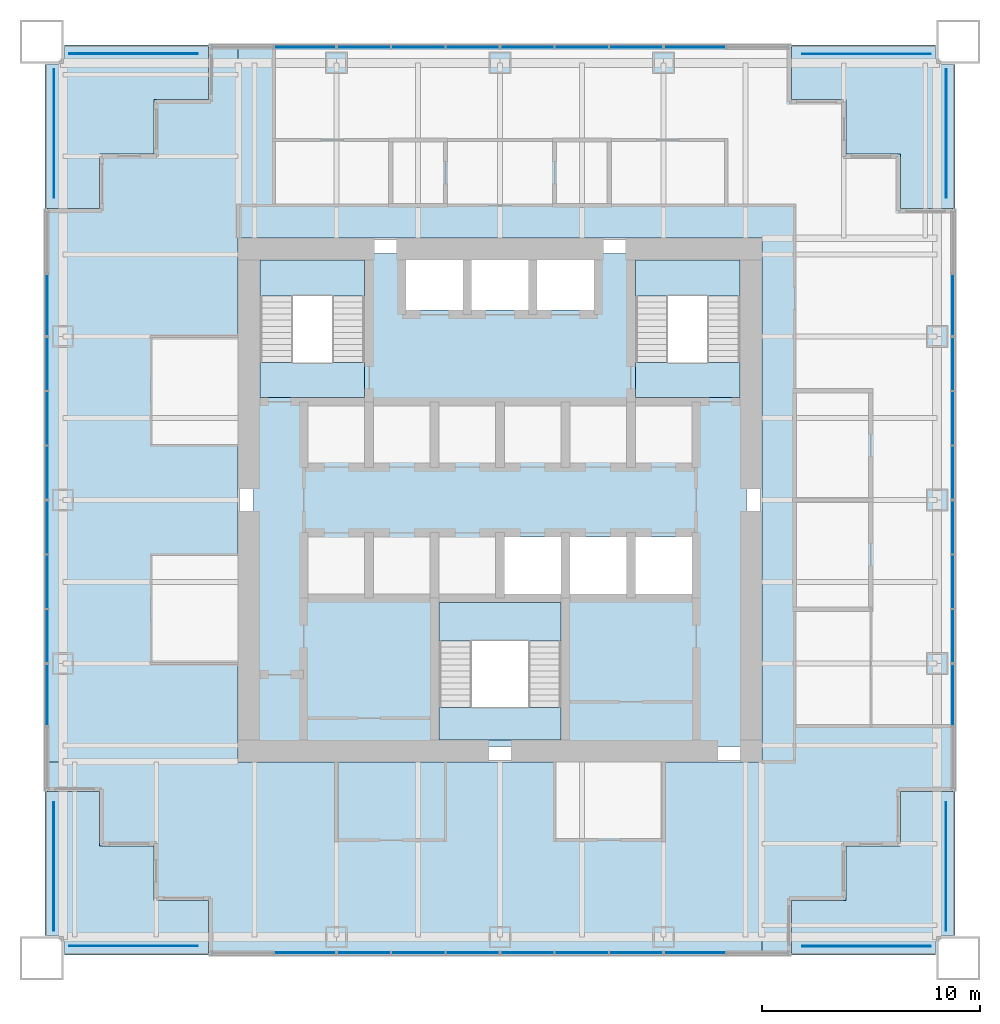
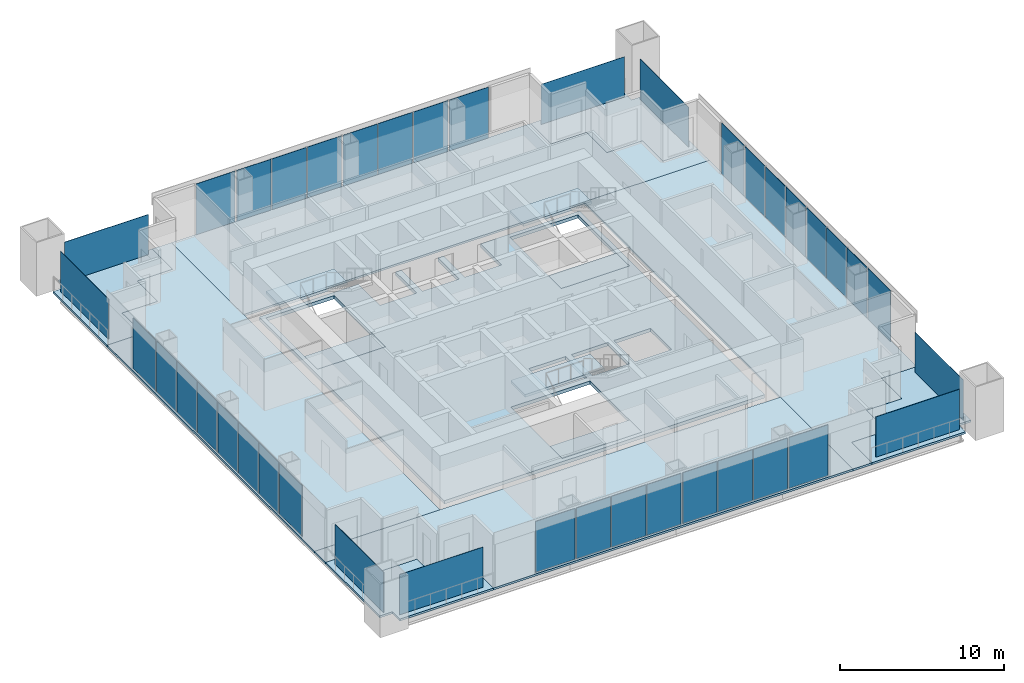
# One storey, part 8 of 14: 40 plates, 15 slabs, 19 elements without a shape of their own.
"""IFC4 building model written with IfcOpenShell, lengths in metres."""

from ifc_helpers import new_model, si_unit, direction, frame, origin, origin_2d, place, context, subcontext, project, spatial, polyline, rectangle, outline, extrude, material, layer, layer_set, type_object, element, aggregate, save


model = new_model("IFC4")

# Units and contexts
model_context = context("Model", 3, precision=1e-05, world=origin(), true_north=direction((0.0, 1.0)))
body_context = subcontext(model_context, "Body", "Model", "MODEL_VIEW")
ifc_project = project(units=[si_unit("LENGTHUNIT", "METRE"), si_unit("AREAUNIT", "SQUARE_METRE"), si_unit("VOLUMEUNIT", "CUBIC_METRE"), si_unit("PLANEANGLEUNIT", "RADIAN"), si_unit("MASSUNIT", "GRAM", prefix="KILO")], contexts=[model_context])

# Site, building, storey
site_placement = place(None, origin())
site = spatial("IfcSite", under=ifc_project, at=site_placement, CompositionType="ELEMENT")
building_placement = place(site_placement, origin())
building = spatial("IfcBuilding", under=site, at=building_placement, Name="Tarangal Relay Tower", CompositionType="ELEMENT")
storey_placement = place(building_placement, frame((0.0, 0.0, 327.89990234375)))
storey = spatial("IfcBuildingStorey", under=building, at=storey_placement, Name="L73", CompositionType="ELEMENT", Elevation=327.89990234375)

# Slabs
ifc_material_1 = material(Name="Concrete fc' 35 MPa", Category="concrete")
ifc_layer_1 = layer(ifc_material_1, 0.25)
ifc_layer_set_1 = layer_set([ifc_layer_1], Name="Core floor slab 250")
slab_type_1 = type_object("IfcSlabType", Name="Core floor slab 250", PredefinedType="FLOOR", material=ifc_layer_set_1)
slab_1_placement = place(storey_placement, frame((0.0, 0.0, -0.25)))
element("IfcSlab", 1, at=slab_1_placement, inside=storey, type_object=slab_type_1, Name="Core floor slab L73", PredefinedType="FLOOR", context=body_context, shape_type="SweptSolid", body=[
    extrude(outline(polyline([(11.300048828125, 11.300048828125), (11.300048828125, -11.300048828125), (-11.300048828125, -11.300048828125), (-11.300048828125, 11.300048828125), (-4.300048828125, 11.300048828125), (-4.300048828125, 8.699951171875), (-1.699951171875, 8.699951171875), (-1.699951171875, 11.300048828125), (-1.300048828125, 11.300048828125), (-1.300048828125, 8.699951171875), (1.300048828125, 8.699951171875), (1.300048828125, 11.300048828125), (1.699951171875, 11.300048828125), (1.699951171875, 8.699951171875), (4.300048828125, 8.699951171875), (4.300048828125, 11.300048828125), (11.300048828125, 11.300048828125)]), holes=[polyline([(2.800048828125, -4.699951171875), (-2.800048828125, -4.699951171875), (-2.800048828125, -11.0), (2.800048828125, -11.0), (2.800048828125, -4.699951171875)]), polyline([(2.800048828125, -1.699951171875), (0.199951171875, -1.699951171875), (0.199951171875, -4.300048828125), (2.800048828125, -4.300048828125), (2.800048828125, -1.699951171875)]), polyline([(5.800048828125, -1.699951171875), (3.199951171875, -1.699951171875), (3.199951171875, -4.300048828125), (5.800048828125, -4.300048828125), (5.800048828125, -1.699951171875)]), polyline([(8.800048828125, -1.699951171875), (6.199951171875, -1.699951171875), (6.199951171875, -4.300048828125), (8.800048828125, -4.300048828125), (8.800048828125, -1.699951171875)]), polyline([(-6.199951171875, 11.0), (-11.0, 11.0), (-11.0, 4.699951171875), (-6.199951171875, 4.699951171875), (-6.199951171875, 11.0)]), polyline([(11.0, 11.0), (6.199951171875, 11.0), (6.199951171875, 4.699951171875), (11.0, 4.699951171875), (11.0, 11.0)])]), origin(), (0.0, 0.0, 1.0), 0.25),
])
ifc_layer_2 = layer(ifc_material_1, 0.14990234375)
ifc_layer_set_2 = layer_set([ifc_layer_2], Name="Floor slab 150")
slab_type_2 = type_object("IfcSlabType", Name="Floor slab 150", PredefinedType="FLOOR", material=ifc_layer_set_2)
slab_2_placement = place(storey_placement, frame((0.0, 0.0, -0.14990234375)))
element("IfcSlab", 2, at=slab_2_placement, inside=storey, type_object=slab_type_2, Name="Floor slab FS3 L73 north bay", PredefinedType="FLOOR", context=body_context, shape_type="SweptSolid", body=[
    extrude(outline(polyline([(13.35009765625, 20.85009765625), (13.35009765625, 18.35009765625), (15.85009765625, 18.35009765625), (15.85009765625, 15.85009765625), (18.35009765625, 15.85009765625), (18.35009765625, 13.35009765625), (20.85009765625, 13.35009765625), (20.85009765625, 12.0), (-12.0, 12.0), (-12.0, 20.85009765625), (13.35009765625, 20.85009765625)])), origin(), (0.0, 0.0, 1.0), 0.14990234375),
])
slab_3_placement = place(storey_placement, frame((0.0, 0.0, -0.14990234375)))
element("IfcSlab", 3, at=slab_3_placement, inside=storey, type_object=slab_type_2, Name="Floor slab FS3 L73 east bay", PredefinedType="FLOOR", context=body_context, shape_type="SweptSolid", body=[
    extrude(outline(polyline([(20.85009765625, -13.35009765625), (18.35009765625, -13.35009765625), (18.35009765625, -15.85009765625), (15.85009765625, -15.85009765625), (15.85009765625, -18.35009765625), (13.35009765625, -18.35009765625), (13.35009765625, -20.85009765625), (12.0, -20.85009765625), (12.0, 12.0), (20.85009765625, 12.0), (20.85009765625, -13.35009765625)])), origin(), (0.0, 0.0, 1.0), 0.14990234375),
])
slab_4_placement = place(storey_placement, frame((0.0, 0.0, -0.14990234375)))
element("IfcSlab", 4, at=slab_4_placement, inside=storey, type_object=slab_type_2, Name="Floor slab FS3 L73 south bay", PredefinedType="FLOOR", context=body_context, shape_type="SweptSolid", body=[
    extrude(outline(polyline([(-13.35009765625, -20.85009765625), (-13.35009765625, -18.35009765625), (-15.85009765625, -18.35009765625), (-15.85009765625, -15.85009765625), (-18.35009765625, -15.85009765625), (-18.35009765625, -13.35009765625), (-20.85009765625, -13.35009765625), (-20.85009765625, -12.0), (12.0, -12.0), (12.0, -20.85009765625), (-13.35009765625, -20.85009765625)])), origin(), (0.0, 0.0, 1.0), 0.14990234375),
])
slab_5_placement = place(storey_placement, frame((0.0, 0.0, -0.14990234375)))
element("IfcSlab", 5, at=slab_5_placement, inside=storey, type_object=slab_type_2, Name="Floor slab FS3 L73 west bay", PredefinedType="FLOOR", context=body_context, shape_type="SweptSolid", body=[
    extrude(outline(polyline([(-12.0, 20.85009765625), (-12.0, -12.0), (-20.85009765625, -12.0), (-20.85009765625, 13.35009765625), (-18.35009765625, 13.35009765625), (-18.35009765625, 15.85009765625), (-15.85009765625, 15.85009765625), (-15.85009765625, 18.35009765625), (-13.35009765625, 18.35009765625), (-13.35009765625, 20.85009765625), (-12.0, 20.85009765625)])), origin(), (0.0, 0.0, 1.0), 0.14990234375),
])

# Curtain wall, plate
ifc_material_2 = material(Name="Unitised curtain wall, dark glass and black aluminium", Category="aluminium")
curtain_wall_type = type_object("IfcCurtainWallType", Name="Curtain wall CW-B", PredefinedType="USERDEFINED", material=ifc_material_2)
curtain_wall_1_placement = place(storey_placement, origin())
curtain_wall_1 = element("IfcCurtainWall", 6, at=curtain_wall_1_placement, inside=storey, type_object=curtain_wall_type, Name="Curtain wall CW-B N facade L73", ObjectType="UNITISED CURTAIN WALL", PredefinedType="USERDEFINED")
ifc_material_3 = material(Name="Dark tinted insulated glass unit", Category="glass")
ifc_layer_3 = layer(ifc_material_3, 0.030029296875)
ifc_layer_set_3 = layer_set([ifc_layer_3], Name="Glazed panel CW-B 30")
plate_type_1 = type_object("IfcPlateType", Name="Glazed panel CW-B 30", PredefinedType="CURTAIN_PANEL", material=ifc_layer_set_3)
plate_1_placement = place(storey_placement, frame((-8.9375, 20.75, 0.06005859375), z_axis=(0.0, 0.0, 1.0), x_axis=(1.0, 0.0, 0.0)))
plate_1 = element("IfcPlate", 7, at=plate_1_placement, type_object=plate_type_1, Name="CW-B panel 1.1", PredefinedType="CURTAIN_PANEL", context=body_context, shape_type="SweptSolid", body=[
    extrude(rectangle(XDim=2.7548828125, YDim=0.030029296875, at=origin_2d()), origin(), (0.0, 0.0, 1.0), 3.7900390625),
])
aggregate(curtain_wall_1, [plate_1])

# Curtain wall, plates
curtain_wall_2_placement = place(storey_placement, origin())
curtain_wall_2 = element("IfcCurtainWall", 8, at=curtain_wall_2_placement, inside=storey, type_object=curtain_wall_type, Name="Curtain wall CW-B N facade L73", ObjectType="UNITISED CURTAIN WALL", PredefinedType="USERDEFINED")
plate_2_placement = place(storey_placement, frame((-6.235107421875, 20.75, 0.06005859375), z_axis=(0.0, 0.0, 1.0), x_axis=(1.0, 0.0, 0.0)))
plate_2 = element("IfcPlate", 9, at=plate_2_placement, type_object=plate_type_1, Name="CW-B panel 1.1", PredefinedType="CURTAIN_PANEL", context=body_context, shape_type="SweptSolid", body=[
    extrude(rectangle(XDim=2.409912109375, YDim=0.030029296875, at=origin_2d()), origin(), (0.0, 0.0, 1.0), 3.7900390625),
])
plate_3_placement = place(storey_placement, frame((-3.75, 20.75, 0.06005859375), z_axis=(0.0, 0.0, 1.0), x_axis=(1.0, 0.0, 0.0)))
plate_3 = element("IfcPlate", 10, at=plate_3_placement, type_object=plate_type_1, Name="CW-B panel 2.1", PredefinedType="CURTAIN_PANEL", context=body_context, shape_type="SweptSolid", body=[
    extrude(rectangle(XDim=2.43994140625, YDim=0.030029296875, at=origin_2d()), origin(), (0.0, 0.0, 1.0), 3.7900390625),
])
plate_4_placement = place(storey_placement, frame((-1.264892578125, 20.75, 0.06005859375), z_axis=(0.0, 0.0, 1.0), x_axis=(1.0, 0.0, 0.0)))
plate_4 = element("IfcPlate", 11, at=plate_4_placement, type_object=plate_type_1, Name="CW-B panel 3.1", PredefinedType="CURTAIN_PANEL", context=body_context, shape_type="SweptSolid", body=[
    extrude(rectangle(XDim=2.409912109375, YDim=0.030029296875, at=origin_2d()), origin(), (0.0, 0.0, 1.0), 3.7900390625),
])
aggregate(curtain_wall_2, [plate_2, plate_3, plate_4])

curtain_wall_3_placement = place(storey_placement, origin())
curtain_wall_3 = element("IfcCurtainWall", 12, at=curtain_wall_3_placement, inside=storey, type_object=curtain_wall_type, Name="Curtain wall CW-B N facade L73", ObjectType="UNITISED CURTAIN WALL", PredefinedType="USERDEFINED")
plate_5_placement = place(storey_placement, frame((1.264892578125, 20.75, 0.06005859375), z_axis=(0.0, 0.0, 1.0), x_axis=(1.0, 0.0, 0.0)))
plate_5 = element("IfcPlate", 13, at=plate_5_placement, type_object=plate_type_1, Name="CW-B panel 1.1", PredefinedType="CURTAIN_PANEL", context=body_context, shape_type="SweptSolid", body=[
    extrude(rectangle(XDim=2.409912109375, YDim=0.030029296875, at=origin_2d()), origin(), (0.0, 0.0, 1.0), 3.7900390625),
])
plate_6_placement = place(storey_placement, frame((3.75, 20.75, 0.06005859375), z_axis=(0.0, 0.0, 1.0), x_axis=(1.0, 0.0, 0.0)))
plate_6 = element("IfcPlate", 14, at=plate_6_placement, type_object=plate_type_1, Name="CW-B panel 2.1", PredefinedType="CURTAIN_PANEL", context=body_context, shape_type="SweptSolid", body=[
    extrude(rectangle(XDim=2.43994140625, YDim=0.030029296875, at=origin_2d()), origin(), (0.0, 0.0, 1.0), 3.7900390625),
])
plate_7_placement = place(storey_placement, frame((6.235107421875, 20.75, 0.06005859375), z_axis=(0.0, 0.0, 1.0), x_axis=(1.0, 0.0, 0.0)))
plate_7 = element("IfcPlate", 15, at=plate_7_placement, type_object=plate_type_1, Name="CW-B panel 3.1", PredefinedType="CURTAIN_PANEL", context=body_context, shape_type="SweptSolid", body=[
    extrude(rectangle(XDim=2.409912109375, YDim=0.030029296875, at=origin_2d()), origin(), (0.0, 0.0, 1.0), 3.7900390625),
])
aggregate(curtain_wall_3, [plate_5, plate_6, plate_7])

# Curtain wall, plate
curtain_wall_4_placement = place(storey_placement, origin())
curtain_wall_4 = element("IfcCurtainWall", 16, at=curtain_wall_4_placement, inside=storey, type_object=curtain_wall_type, Name="Curtain wall CW-B N facade L73", ObjectType="UNITISED CURTAIN WALL", PredefinedType="USERDEFINED")
plate_8_placement = place(storey_placement, frame((8.9375, 20.75, 0.06005859375), z_axis=(0.0, 0.0, 1.0), x_axis=(1.0, 0.0, 0.0)))
plate_8 = element("IfcPlate", 17, at=plate_8_placement, type_object=plate_type_1, Name="CW-B panel 1.1", PredefinedType="CURTAIN_PANEL", context=body_context, shape_type="SweptSolid", body=[
    extrude(rectangle(XDim=2.7548828125, YDim=0.030029296875, at=origin_2d()), origin(), (0.0, 0.0, 1.0), 3.7900390625),
])
aggregate(curtain_wall_4, [plate_8])

curtain_wall_5_placement = place(storey_placement, origin())
curtain_wall_5 = element("IfcCurtainWall", 18, at=curtain_wall_5_placement, inside=storey, type_object=curtain_wall_type, Name="Curtain wall CW-B E facade L73", ObjectType="UNITISED CURTAIN WALL", PredefinedType="USERDEFINED")
plate_9_placement = place(storey_placement, frame((20.75, 8.9375, 0.06005859375), z_axis=(0.0, 0.0, 1.0), x_axis=(0.0, -1.0, 0.0)))
plate_9 = element("IfcPlate", 19, at=plate_9_placement, type_object=plate_type_1, Name="CW-B panel 1.1", PredefinedType="CURTAIN_PANEL", context=body_context, shape_type="SweptSolid", body=[
    extrude(rectangle(XDim=2.7548828125, YDim=0.030029296875, at=origin_2d()), origin(), (0.0, 0.0, 1.0), 3.7900390625),
])
aggregate(curtain_wall_5, [plate_9])

# Curtain wall, plates
curtain_wall_6_placement = place(storey_placement, origin())
curtain_wall_6 = element("IfcCurtainWall", 20, at=curtain_wall_6_placement, inside=storey, type_object=curtain_wall_type, Name="Curtain wall CW-B E facade L73", ObjectType="UNITISED CURTAIN WALL", PredefinedType="USERDEFINED")
plate_10_placement = place(storey_placement, frame((20.75, 6.235107421875, 0.06005859375), z_axis=(0.0, 0.0, 1.0), x_axis=(0.0, -1.0, 0.0)))
plate_10 = element("IfcPlate", 21, at=plate_10_placement, type_object=plate_type_1, Name="CW-B panel 1.1", PredefinedType="CURTAIN_PANEL", context=body_context, shape_type="SweptSolid", body=[
    extrude(rectangle(XDim=2.409912109375, YDim=0.030029296875, at=origin_2d()), origin(), (0.0, 0.0, 1.0), 3.7900390625),
])
plate_11_placement = place(storey_placement, frame((20.75, 3.75, 0.06005859375), z_axis=(0.0, 0.0, 1.0), x_axis=(0.0, -1.0, 0.0)))
plate_11 = element("IfcPlate", 22, at=plate_11_placement, type_object=plate_type_1, Name="CW-B panel 2.1", PredefinedType="CURTAIN_PANEL", context=body_context, shape_type="SweptSolid", body=[
    extrude(rectangle(XDim=2.43994140625, YDim=0.030029296875, at=origin_2d()), origin(), (0.0, 0.0, 1.0), 3.7900390625),
])
plate_12_placement = place(storey_placement, frame((20.75, 1.264892578125, 0.06005859375), z_axis=(0.0, 0.0, 1.0), x_axis=(0.0, -1.0, 0.0)))
plate_12 = element("IfcPlate", 23, at=plate_12_placement, type_object=plate_type_1, Name="CW-B panel 3.1", PredefinedType="CURTAIN_PANEL", context=body_context, shape_type="SweptSolid", body=[
    extrude(rectangle(XDim=2.409912109375, YDim=0.030029296875, at=origin_2d()), origin(), (0.0, 0.0, 1.0), 3.7900390625),
])
aggregate(curtain_wall_6, [plate_10, plate_11, plate_12])

curtain_wall_7_placement = place(storey_placement, origin())
curtain_wall_7 = element("IfcCurtainWall", 24, at=curtain_wall_7_placement, inside=storey, type_object=curtain_wall_type, Name="Curtain wall CW-B E facade L73", ObjectType="UNITISED CURTAIN WALL", PredefinedType="USERDEFINED")
plate_13_placement = place(storey_placement, frame((20.75, -1.264892578125, 0.06005859375), z_axis=(0.0, 0.0, 1.0), x_axis=(0.0, -1.0, 0.0)))
plate_13 = element("IfcPlate", 25, at=plate_13_placement, type_object=plate_type_1, Name="CW-B panel 1.1", PredefinedType="CURTAIN_PANEL", context=body_context, shape_type="SweptSolid", body=[
    extrude(rectangle(XDim=2.409912109375, YDim=0.030029296875, at=origin_2d()), origin(), (0.0, 0.0, 1.0), 3.7900390625),
])
plate_14_placement = place(storey_placement, frame((20.75, -3.75, 0.06005859375), z_axis=(0.0, 0.0, 1.0), x_axis=(0.0, -1.0, 0.0)))
plate_14 = element("IfcPlate", 26, at=plate_14_placement, type_object=plate_type_1, Name="CW-B panel 2.1", PredefinedType="CURTAIN_PANEL", context=body_context, shape_type="SweptSolid", body=[
    extrude(rectangle(XDim=2.43994140625, YDim=0.030029296875, at=origin_2d()), origin(), (0.0, 0.0, 1.0), 3.7900390625),
])
plate_15_placement = place(storey_placement, frame((20.75, -6.235107421875, 0.06005859375), z_axis=(0.0, 0.0, 1.0), x_axis=(0.0, -1.0, 0.0)))
plate_15 = element("IfcPlate", 27, at=plate_15_placement, type_object=plate_type_1, Name="CW-B panel 3.1", PredefinedType="CURTAIN_PANEL", context=body_context, shape_type="SweptSolid", body=[
    extrude(rectangle(XDim=2.409912109375, YDim=0.030029296875, at=origin_2d()), origin(), (0.0, 0.0, 1.0), 3.7900390625),
])
aggregate(curtain_wall_7, [plate_13, plate_14, plate_15])

# Curtain wall, plate
curtain_wall_8_placement = place(storey_placement, origin())
curtain_wall_8 = element("IfcCurtainWall", 28, at=curtain_wall_8_placement, inside=storey, type_object=curtain_wall_type, Name="Curtain wall CW-B E facade L73", ObjectType="UNITISED CURTAIN WALL", PredefinedType="USERDEFINED")
plate_16_placement = place(storey_placement, frame((20.75, -8.9375, 0.06005859375), z_axis=(0.0, 0.0, 1.0), x_axis=(0.0, -1.0, 0.0)))
plate_16 = element("IfcPlate", 29, at=plate_16_placement, type_object=plate_type_1, Name="CW-B panel 1.1", PredefinedType="CURTAIN_PANEL", context=body_context, shape_type="SweptSolid", body=[
    extrude(rectangle(XDim=2.7548828125, YDim=0.030029296875, at=origin_2d()), origin(), (0.0, 0.0, 1.0), 3.7900390625),
])
aggregate(curtain_wall_8, [plate_16])

curtain_wall_9_placement = place(storey_placement, origin())
curtain_wall_9 = element("IfcCurtainWall", 30, at=curtain_wall_9_placement, inside=storey, type_object=curtain_wall_type, Name="Curtain wall CW-B S facade L73", ObjectType="UNITISED CURTAIN WALL", PredefinedType="USERDEFINED")
plate_17_placement = place(storey_placement, frame((8.9375, -20.75, 0.06005859375), z_axis=(0.0, 0.0, 1.0), x_axis=(-1.0, 0.0, 0.0)))
plate_17 = element("IfcPlate", 31, at=plate_17_placement, type_object=plate_type_1, Name="CW-B panel 1.1", PredefinedType="CURTAIN_PANEL", context=body_context, shape_type="SweptSolid", body=[
    extrude(rectangle(XDim=2.7548828125, YDim=0.030029296875, at=origin_2d()), origin(), (0.0, 0.0, 1.0), 3.7900390625),
])
aggregate(curtain_wall_9, [plate_17])

# Curtain wall, plates
curtain_wall_10_placement = place(storey_placement, origin())
curtain_wall_10 = element("IfcCurtainWall", 32, at=curtain_wall_10_placement, inside=storey, type_object=curtain_wall_type, Name="Curtain wall CW-B S facade L73", ObjectType="UNITISED CURTAIN WALL", PredefinedType="USERDEFINED")
plate_18_placement = place(storey_placement, frame((6.235107421875, -20.75, 0.06005859375), z_axis=(0.0, 0.0, 1.0), x_axis=(-1.0, 0.0, 0.0)))
plate_18 = element("IfcPlate", 33, at=plate_18_placement, type_object=plate_type_1, Name="CW-B panel 1.1", PredefinedType="CURTAIN_PANEL", context=body_context, shape_type="SweptSolid", body=[
    extrude(rectangle(XDim=2.409912109375, YDim=0.030029296875, at=origin_2d()), origin(), (0.0, 0.0, 1.0), 3.7900390625),
])
plate_19_placement = place(storey_placement, frame((3.75, -20.75, 0.06005859375), z_axis=(0.0, 0.0, 1.0), x_axis=(-1.0, 0.0, 0.0)))
plate_19 = element("IfcPlate", 34, at=plate_19_placement, type_object=plate_type_1, Name="CW-B panel 2.1", PredefinedType="CURTAIN_PANEL", context=body_context, shape_type="SweptSolid", body=[
    extrude(rectangle(XDim=2.43994140625, YDim=0.030029296875, at=origin_2d()), origin(), (0.0, 0.0, 1.0), 3.7900390625),
])
plate_20_placement = place(storey_placement, frame((1.264892578125, -20.75, 0.06005859375), z_axis=(0.0, 0.0, 1.0), x_axis=(-1.0, 0.0, 0.0)))
plate_20 = element("IfcPlate", 35, at=plate_20_placement, type_object=plate_type_1, Name="CW-B panel 3.1", PredefinedType="CURTAIN_PANEL", context=body_context, shape_type="SweptSolid", body=[
    extrude(rectangle(XDim=2.409912109375, YDim=0.030029296875, at=origin_2d()), origin(), (0.0, 0.0, 1.0), 3.7900390625),
])
aggregate(curtain_wall_10, [plate_18, plate_19, plate_20])

curtain_wall_11_placement = place(storey_placement, origin())
curtain_wall_11 = element("IfcCurtainWall", 36, at=curtain_wall_11_placement, inside=storey, type_object=curtain_wall_type, Name="Curtain wall CW-B S facade L73", ObjectType="UNITISED CURTAIN WALL", PredefinedType="USERDEFINED")
plate_21_placement = place(storey_placement, frame((-1.264892578125, -20.75, 0.06005859375), z_axis=(0.0, 0.0, 1.0), x_axis=(-1.0, 0.0, 0.0)))
plate_21 = element("IfcPlate", 37, at=plate_21_placement, type_object=plate_type_1, Name="CW-B panel 1.1", PredefinedType="CURTAIN_PANEL", context=body_context, shape_type="SweptSolid", body=[
    extrude(rectangle(XDim=2.409912109375, YDim=0.030029296875, at=origin_2d()), origin(), (0.0, 0.0, 1.0), 3.7900390625),
])
plate_22_placement = place(storey_placement, frame((-3.75, -20.75, 0.06005859375), z_axis=(0.0, 0.0, 1.0), x_axis=(-1.0, 0.0, 0.0)))
plate_22 = element("IfcPlate", 38, at=plate_22_placement, type_object=plate_type_1, Name="CW-B panel 2.1", PredefinedType="CURTAIN_PANEL", context=body_context, shape_type="SweptSolid", body=[
    extrude(rectangle(XDim=2.43994140625, YDim=0.030029296875, at=origin_2d()), origin(), (0.0, 0.0, 1.0), 3.7900390625),
])
plate_23_placement = place(storey_placement, frame((-6.235107421875, -20.75, 0.06005859375), z_axis=(0.0, 0.0, 1.0), x_axis=(-1.0, 0.0, 0.0)))
plate_23 = element("IfcPlate", 39, at=plate_23_placement, type_object=plate_type_1, Name="CW-B panel 3.1", PredefinedType="CURTAIN_PANEL", context=body_context, shape_type="SweptSolid", body=[
    extrude(rectangle(XDim=2.409912109375, YDim=0.030029296875, at=origin_2d()), origin(), (0.0, 0.0, 1.0), 3.7900390625),
])
aggregate(curtain_wall_11, [plate_21, plate_22, plate_23])

# Curtain wall, plate
curtain_wall_12_placement = place(storey_placement, origin())
curtain_wall_12 = element("IfcCurtainWall", 40, at=curtain_wall_12_placement, inside=storey, type_object=curtain_wall_type, Name="Curtain wall CW-B S facade L73", ObjectType="UNITISED CURTAIN WALL", PredefinedType="USERDEFINED")
plate_24_placement = place(storey_placement, frame((-8.9375, -20.75, 0.06005859375), z_axis=(0.0, 0.0, 1.0), x_axis=(-1.0, 0.0, 0.0)))
plate_24 = element("IfcPlate", 41, at=plate_24_placement, type_object=plate_type_1, Name="CW-B panel 1.1", PredefinedType="CURTAIN_PANEL", context=body_context, shape_type="SweptSolid", body=[
    extrude(rectangle(XDim=2.7548828125, YDim=0.030029296875, at=origin_2d()), origin(), (0.0, 0.0, 1.0), 3.7900390625),
])
aggregate(curtain_wall_12, [plate_24])

curtain_wall_13_placement = place(storey_placement, origin())
curtain_wall_13 = element("IfcCurtainWall", 42, at=curtain_wall_13_placement, inside=storey, type_object=curtain_wall_type, Name="Curtain wall CW-B W facade L73", ObjectType="UNITISED CURTAIN WALL", PredefinedType="USERDEFINED")
plate_25_placement = place(storey_placement, frame((-20.75, -8.9375, 0.06005859375), z_axis=(0.0, 0.0, 1.0), x_axis=(0.0, 1.0, 0.0)))
plate_25 = element("IfcPlate", 43, at=plate_25_placement, type_object=plate_type_1, Name="CW-B panel 1.1", PredefinedType="CURTAIN_PANEL", context=body_context, shape_type="SweptSolid", body=[
    extrude(rectangle(XDim=2.7548828125, YDim=0.030029296875, at=origin_2d()), origin(), (0.0, 0.0, 1.0), 3.7900390625),
])
aggregate(curtain_wall_13, [plate_25])

# Curtain wall, plates
curtain_wall_14_placement = place(storey_placement, origin())
curtain_wall_14 = element("IfcCurtainWall", 44, at=curtain_wall_14_placement, inside=storey, type_object=curtain_wall_type, Name="Curtain wall CW-B W facade L73", ObjectType="UNITISED CURTAIN WALL", PredefinedType="USERDEFINED")
plate_26_placement = place(storey_placement, frame((-20.75, -6.235107421875, 0.06005859375), z_axis=(0.0, 0.0, 1.0), x_axis=(0.0, 1.0, 0.0)))
plate_26 = element("IfcPlate", 45, at=plate_26_placement, type_object=plate_type_1, Name="CW-B panel 1.1", PredefinedType="CURTAIN_PANEL", context=body_context, shape_type="SweptSolid", body=[
    extrude(rectangle(XDim=2.409912109375, YDim=0.030029296875, at=origin_2d()), origin(), (0.0, 0.0, 1.0), 3.7900390625),
])
plate_27_placement = place(storey_placement, frame((-20.75, -3.75, 0.06005859375), z_axis=(0.0, 0.0, 1.0), x_axis=(0.0, 1.0, 0.0)))
plate_27 = element("IfcPlate", 46, at=plate_27_placement, type_object=plate_type_1, Name="CW-B panel 2.1", PredefinedType="CURTAIN_PANEL", context=body_context, shape_type="SweptSolid", body=[
    extrude(rectangle(XDim=2.43994140625, YDim=0.030029296875, at=origin_2d()), origin(), (0.0, 0.0, 1.0), 3.7900390625),
])
plate_28_placement = place(storey_placement, frame((-20.75, -1.264892578125, 0.06005859375), z_axis=(0.0, 0.0, 1.0), x_axis=(0.0, 1.0, 0.0)))
plate_28 = element("IfcPlate", 47, at=plate_28_placement, type_object=plate_type_1, Name="CW-B panel 3.1", PredefinedType="CURTAIN_PANEL", context=body_context, shape_type="SweptSolid", body=[
    extrude(rectangle(XDim=2.409912109375, YDim=0.030029296875, at=origin_2d()), origin(), (0.0, 0.0, 1.0), 3.7900390625),
])
aggregate(curtain_wall_14, [plate_26, plate_27, plate_28])

curtain_wall_15_placement = place(storey_placement, origin())
curtain_wall_15 = element("IfcCurtainWall", 48, at=curtain_wall_15_placement, inside=storey, type_object=curtain_wall_type, Name="Curtain wall CW-B W facade L73", ObjectType="UNITISED CURTAIN WALL", PredefinedType="USERDEFINED")
plate_29_placement = place(storey_placement, frame((-20.75, 1.264892578125, 0.06005859375), z_axis=(0.0, 0.0, 1.0), x_axis=(0.0, 1.0, 0.0)))
plate_29 = element("IfcPlate", 49, at=plate_29_placement, type_object=plate_type_1, Name="CW-B panel 1.1", PredefinedType="CURTAIN_PANEL", context=body_context, shape_type="SweptSolid", body=[
    extrude(rectangle(XDim=2.409912109375, YDim=0.030029296875, at=origin_2d()), origin(), (0.0, 0.0, 1.0), 3.7900390625),
])
plate_30_placement = place(storey_placement, frame((-20.75, 3.75, 0.06005859375), z_axis=(0.0, 0.0, 1.0), x_axis=(0.0, 1.0, 0.0)))
plate_30 = element("IfcPlate", 50, at=plate_30_placement, type_object=plate_type_1, Name="CW-B panel 2.1", PredefinedType="CURTAIN_PANEL", context=body_context, shape_type="SweptSolid", body=[
    extrude(rectangle(XDim=2.43994140625, YDim=0.030029296875, at=origin_2d()), origin(), (0.0, 0.0, 1.0), 3.7900390625),
])
plate_31_placement = place(storey_placement, frame((-20.75, 6.235107421875, 0.06005859375), z_axis=(0.0, 0.0, 1.0), x_axis=(0.0, 1.0, 0.0)))
plate_31 = element("IfcPlate", 51, at=plate_31_placement, type_object=plate_type_1, Name="CW-B panel 3.1", PredefinedType="CURTAIN_PANEL", context=body_context, shape_type="SweptSolid", body=[
    extrude(rectangle(XDim=2.409912109375, YDim=0.030029296875, at=origin_2d()), origin(), (0.0, 0.0, 1.0), 3.7900390625),
])
aggregate(curtain_wall_15, [plate_29, plate_30, plate_31])

# Curtain wall, plate
curtain_wall_16_placement = place(storey_placement, origin())
curtain_wall_16 = element("IfcCurtainWall", 52, at=curtain_wall_16_placement, inside=storey, type_object=curtain_wall_type, Name="Curtain wall CW-B W facade L73", ObjectType="UNITISED CURTAIN WALL", PredefinedType="USERDEFINED")
plate_32_placement = place(storey_placement, frame((-20.75, 8.9375, 0.06005859375), z_axis=(0.0, 0.0, 1.0), x_axis=(0.0, 1.0, 0.0)))
plate_32 = element("IfcPlate", 53, at=plate_32_placement, type_object=plate_type_1, Name="CW-B panel 1.1", PredefinedType="CURTAIN_PANEL", context=body_context, shape_type="SweptSolid", body=[
    extrude(rectangle(XDim=2.7548828125, YDim=0.030029296875, at=origin_2d()), origin(), (0.0, 0.0, 1.0), 3.7900390625),
])
aggregate(curtain_wall_16, [plate_32])

# Plates
ifc_material_4 = material(Name="Black stainless steel cable trellis with climbing planting", Category="steel")
ifc_layer_4 = layer(ifc_material_4, 0.030029296875)
ifc_layer_set_4 = layer_set([ifc_layer_4], Name="Planted trellis screen")
plate_type_2 = type_object("IfcPlateType", Name="Planted trellis screen", PredefinedType="SHEET", material=ifc_layer_set_4)
for number, where, z_axis, x_axis, name in (
    (54, (20.449951171875, 16.800048828125, 0.0), (0.0, 0.0, 1.0), (0.0, -1.0, 0.0), "Planted trellis SC2 NE L73"),
    (55, (16.800048828125, -20.449951171875, 0.0), (0.0, 0.0, 1.0), (-1.0, 0.0, 0.0), "Planted trellis SC2 SE L73"),
    (56, (-20.449951171875, -16.800048828125, 0.0), (0.0, 0.0, 1.0), (0.0, 1.0, 0.0), "Planted trellis SC2 SW L73"),
    (57, (-16.800048828125, 20.449951171875, 0.0), (0.0, 0.0, 1.0), (1.0, 0.0, 0.0), "Planted trellis SC2 NW L73"),
):
    element("IfcPlate", number, at=place(storey_placement, frame(where, z_axis=z_axis, x_axis=x_axis)), inside=storey, type_object=plate_type_2, Name=name, PredefinedType="SHEET", context=body_context, shape_type="SweptSolid", body=[
        extrude(rectangle(XDim=5.89990234375, YDim=0.030029296875, at=origin_2d()), origin(), (0.0, 0.0, 1.0), 3.0),
    ])

# Stair, slabs
ifc_material_5 = material(Name="Steel ASTM A992 stair flight", Category="steel")
stair_type = type_object("IfcStairType", Name="Core stair 1500", PredefinedType="HALF_TURN_STAIR", material=ifc_material_5)
stair_1_placement = place(storey_placement, origin())
stair_1 = element("IfcStair", 58, at=stair_1_placement, inside=storey, type_object=stair_type, Name="Stair ST-A L73", PredefinedType="HALF_TURN_STAIR")
ifc_layer_5 = layer(ifc_material_1, 0.199951171875)
ifc_layer_set_5 = layer_set([ifc_layer_5], Name="Stair landing 200")
slab_type_3 = type_object("IfcSlabType", Name="Stair landing 200", PredefinedType="LANDING", material=ifc_layer_set_5)
slab_6_placement = place(storey_placement, frame((0.0, 0.0, -0.199951171875)))
slab_6 = element("IfcSlab", 59, at=slab_6_placement, type_object=slab_type_3, Name="ST-A landing 1", PredefinedType="LANDING", context=body_context, shape_type="SweptSolid", body=[
    extrude(outline(polyline([(-11.0, 4.699951171875), (-6.199951171875, 4.699951171875), (-6.199951171875, 6.300048828125), (-11.0, 6.300048828125), (-11.0, 4.699951171875)])), origin(), (0.0, 0.0, 1.0), 0.199951171875),
])
slab_7_placement = place(storey_placement, frame((0.0, 0.0, 1.800048828125)))
slab_7 = element("IfcSlab", 60, at=slab_7_placement, type_object=slab_type_3, Name="ST-A landing 2", PredefinedType="LANDING", context=body_context, shape_type="SweptSolid", body=[
    extrude(outline(polyline([(-11.0, 9.346923828125), (-6.199951171875, 9.346923828125), (-6.199951171875, 11.0), (-11.0, 11.0), (-11.0, 9.346923828125)])), origin(), (0.0, 0.0, 1.0), 0.199951171875),
])
aggregate(stair_1, [slab_6, slab_7])

stair_2_placement = place(storey_placement, origin())
stair_2 = element("IfcStair", 61, at=stair_2_placement, inside=storey, type_object=stair_type, Name="Stair ST-B L73", PredefinedType="HALF_TURN_STAIR")
slab_8_placement = place(storey_placement, frame((0.0, 0.0, -0.199951171875)))
slab_8 = element("IfcSlab", 62, at=slab_8_placement, type_object=slab_type_3, Name="ST-B landing 1", PredefinedType="LANDING", context=body_context, shape_type="SweptSolid", body=[
    extrude(outline(polyline([(6.199951171875, 4.699951171875), (11.0, 4.699951171875), (11.0, 6.300048828125), (6.199951171875, 6.300048828125), (6.199951171875, 4.699951171875)])), origin(), (0.0, 0.0, 1.0), 0.199951171875),
])
slab_9_placement = place(storey_placement, frame((0.0, 0.0, 1.800048828125)))
slab_9 = element("IfcSlab", 63, at=slab_9_placement, type_object=slab_type_3, Name="ST-B landing 2", PredefinedType="LANDING", context=body_context, shape_type="SweptSolid", body=[
    extrude(outline(polyline([(6.199951171875, 9.346923828125), (11.0, 9.346923828125), (11.0, 11.0), (6.199951171875, 11.0), (6.199951171875, 9.346923828125)])), origin(), (0.0, 0.0, 1.0), 0.199951171875),
])
aggregate(stair_2, [slab_8, slab_9])

stair_3_placement = place(storey_placement, origin())
stair_3 = element("IfcStair", 64, at=stair_3_placement, inside=storey, type_object=stair_type, Name="Stair ST-C L73", PredefinedType="HALF_TURN_STAIR")
slab_10_placement = place(storey_placement, frame((0.0, 0.0, -0.199951171875)))
slab_10 = element("IfcSlab", 65, at=slab_10_placement, type_object=slab_type_3, Name="ST-C landing 1", PredefinedType="LANDING", context=body_context, shape_type="SweptSolid", body=[
    extrude(outline(polyline([(-2.800048828125, -11.0), (2.800048828125, -11.0), (2.800048828125, -9.5), (-2.800048828125, -9.5), (-2.800048828125, -11.0)])), origin(), (0.0, 0.0, 1.0), 0.199951171875),
])
slab_11_placement = place(storey_placement, frame((0.0, 0.0, 1.800048828125)))
slab_11 = element("IfcSlab", 66, at=slab_11_placement, type_object=slab_type_3, Name="ST-C landing 2", PredefinedType="LANDING", context=body_context, shape_type="SweptSolid", body=[
    extrude(outline(polyline([(-2.800048828125, -6.452880859375), (2.800048828125, -6.452880859375), (2.800048828125, -4.699951171875), (-2.800048828125, -4.699951171875), (-2.800048828125, -6.452880859375)])), origin(), (0.0, 0.0, 1.0), 0.199951171875),
])
aggregate(stair_3, [slab_10, slab_11])

# Plates
ifc_material_6 = material(Name="Perforated black aluminium screen", Category="aluminium")
ifc_layer_6 = layer(ifc_material_6, 0.02001953125)
ifc_layer_set_6 = layer_set([ifc_layer_6], Name="Terrace screen panel")
plate_type_3 = type_object("IfcPlateType", Name="Terrace screen panel", PredefinedType="SHEET", material=ifc_layer_set_6)
for number, where, z_axis, x_axis, name in (
    (67, (16.800048828125, 20.449951171875, 0.0), (0.0, 0.0, 1.0), (1.0, 0.0, 0.0), "Terrace screen SC1 NE L73"),
    (68, (20.449951171875, -16.800048828125, 0.0), (0.0, 0.0, 1.0), (0.0, -1.0, 0.0), "Terrace screen SC1 SE L73"),
    (69, (-16.800048828125, -20.449951171875, 0.0), (0.0, 0.0, 1.0), (-1.0, 0.0, 0.0), "Terrace screen SC1 SW L73"),
    (70, (-20.449951171875, 16.800048828125, 0.0), (0.0, 0.0, 1.0), (0.0, 1.0, 0.0), "Terrace screen SC1 NW L73"),
):
    element("IfcPlate", number, at=place(storey_placement, frame(where, z_axis=z_axis, x_axis=x_axis)), inside=storey, type_object=plate_type_3, Name=name, PredefinedType="SHEET", context=body_context, shape_type="SweptSolid", body=[
        extrude(rectangle(XDim=5.89990234375, YDim=0.02001953125, at=origin_2d()), origin(), (0.0, 0.0, 1.0), 3.0),
    ])

# Slabs
ifc_layer_7 = layer(ifc_material_1, 0.14990234375)
ifc_layer_set_7 = layer_set([ifc_layer_7], Name="Terrace slab 150")
slab_type_4 = type_object("IfcSlabType", Name="Terrace slab 150", PredefinedType="FLOOR", material=ifc_layer_set_7)
slab_12_placement = place(storey_placement, frame((0.0, 0.0, -0.14990234375)))
element("IfcSlab", 71, at=slab_12_placement, inside=storey, type_object=slab_type_4, Name="Corner terrace NE L73", PredefinedType="FLOOR", context=body_context, shape_type="SweptSolid", body=[
    extrude(outline(polyline([(13.35009765625, 20.85009765625), (13.35009765625, 18.35009765625), (15.85009765625, 18.35009765625), (15.85009765625, 15.85009765625), (18.35009765625, 15.85009765625), (18.35009765625, 13.35009765625), (20.85009765625, 13.35009765625), (20.85009765625, 19.949951171875), (19.949951171875, 19.949951171875), (19.949951171875, 20.85009765625), (13.35009765625, 20.85009765625)])), origin(), (0.0, 0.0, 1.0), 0.14990234375),
])
slab_13_placement = place(storey_placement, frame((0.0, 0.0, -0.14990234375)))
element("IfcSlab", 72, at=slab_13_placement, inside=storey, type_object=slab_type_4, Name="Corner terrace SE L73", PredefinedType="FLOOR", context=body_context, shape_type="SweptSolid", body=[
    extrude(outline(polyline([(20.85009765625, -13.35009765625), (18.35009765625, -13.35009765625), (18.35009765625, -15.85009765625), (15.85009765625, -15.85009765625), (15.85009765625, -18.35009765625), (13.35009765625, -18.35009765625), (13.35009765625, -20.85009765625), (19.949951171875, -20.85009765625), (19.949951171875, -19.949951171875), (20.85009765625, -19.949951171875), (20.85009765625, -13.35009765625)])), origin(), (0.0, 0.0, 1.0), 0.14990234375),
])
slab_14_placement = place(storey_placement, frame((0.0, 0.0, -0.14990234375)))
element("IfcSlab", 73, at=slab_14_placement, inside=storey, type_object=slab_type_4, Name="Corner terrace SW L73", PredefinedType="FLOOR", context=body_context, shape_type="SweptSolid", body=[
    extrude(outline(polyline([(-13.35009765625, -20.85009765625), (-13.35009765625, -18.35009765625), (-15.85009765625, -18.35009765625), (-15.85009765625, -15.85009765625), (-18.35009765625, -15.85009765625), (-18.35009765625, -13.35009765625), (-20.85009765625, -13.35009765625), (-20.85009765625, -19.949951171875), (-19.949951171875, -19.949951171875), (-19.949951171875, -20.85009765625), (-13.35009765625, -20.85009765625)])), origin(), (0.0, 0.0, 1.0), 0.14990234375),
])
slab_15_placement = place(storey_placement, frame((0.0, 0.0, -0.14990234375)))
element("IfcSlab", 74, at=slab_15_placement, inside=storey, type_object=slab_type_4, Name="Corner terrace NW L73", PredefinedType="FLOOR", context=body_context, shape_type="SweptSolid", body=[
    extrude(outline(polyline([(-20.85009765625, 13.35009765625), (-18.35009765625, 13.35009765625), (-18.35009765625, 15.85009765625), (-15.85009765625, 15.85009765625), (-15.85009765625, 18.35009765625), (-13.35009765625, 18.35009765625), (-13.35009765625, 20.85009765625), (-19.949951171875, 20.85009765625), (-19.949951171875, 19.949951171875), (-20.85009765625, 19.949951171875), (-20.85009765625, 13.35009765625)])), origin(), (0.0, 0.0, 1.0), 0.14990234375),
])

save(model, "model.ifc")
